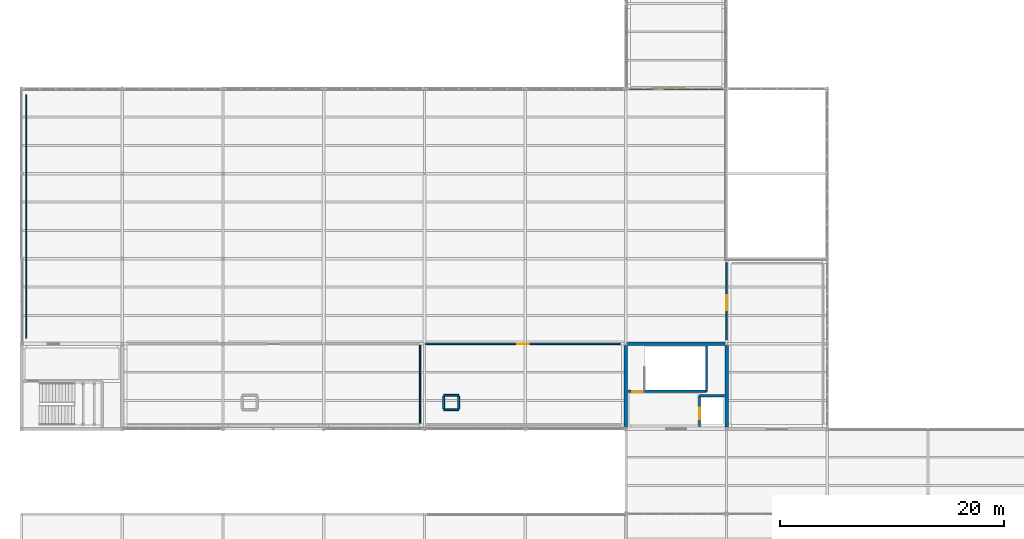
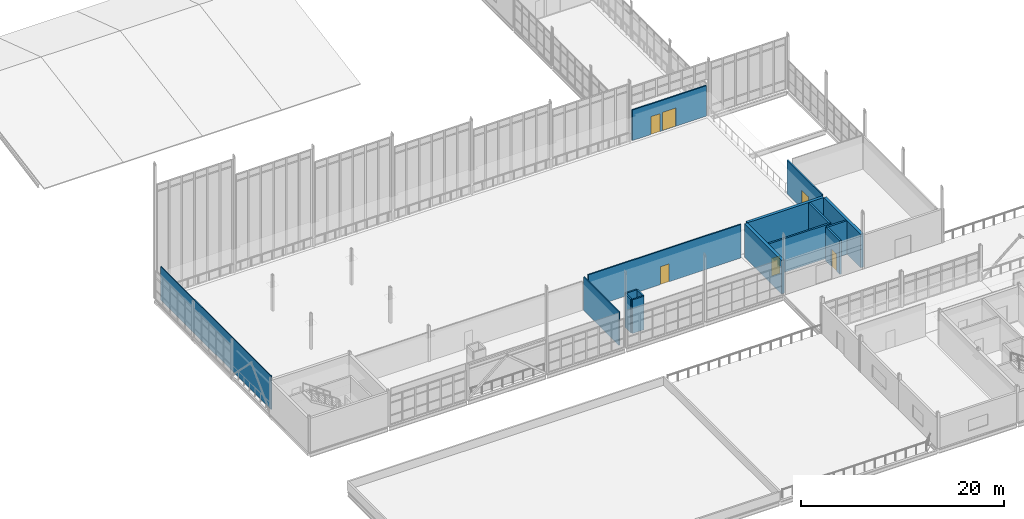
# One storey, part 151 of 166: 16 walls, 6 doors, 6 openings.
"""IFC4 building model written with IfcOpenShell, lengths in metres."""

import ifcopenshell
import ifcopenshell.guid

model = None  # the IFC model being written
_history = None  # IfcOwnerHistory: only IFC2X3 demands one
_inside = {}  # id of a spatial element -> (the spatial element, [elements in it])
_under = {}  # id of a project, library or spatial element -> (it, [spatial elements below it])
_declared = {}  # id of a project -> (the project, [libraries it declares])
_typed = {}  # id of a type object -> (the type object, [elements of that type])
_made_of = {}  # id of a material, layer set ... -> (it, [elements and type objects made of it])


def new_model(schema):
    """Start an empty IFC model of exactly this schema.

    Asked for "IFC4X3", IfcOpenShell would pick the latest addendum, in which some entities
    have other attributes; the version numbers below select the first issue.
    IFC2X3 requires an IfcOwnerHistory on every rooted entity: one is made here for all.
    """
    global model, _history
    if schema == "IFC4X3":
        model = ifcopenshell.file(schema_version=(4, 3, 0, 0))
    else:
        model = ifcopenshell.file(schema=schema)
    _inside.clear()
    _under.clear()
    _declared.clear()
    _typed.clear()
    _made_of.clear()
    _history = None
    if model.schema == "IFC2X3":
        org = make("IfcOrganization", Name="unknown")
        user = make(
            "IfcPersonAndOrganization",
            ThePerson=make("IfcPerson", FamilyName="unknown"),
            TheOrganization=org,
        )
        app = make(
            "IfcApplication",
            ApplicationDeveloper=org,
            Version="unknown",
            ApplicationFullName="unknown",
            ApplicationIdentifier="unknown",
        )
        _history = make(
            "IfcOwnerHistory",
            OwningUser=user,
            OwningApplication=app,
            ChangeAction="ADDED",
            CreationDate=0,
        )
    return model


def make(cls, **values):
    """One entity of the class cls with the attributes given. An attribute that is None is left unset."""
    return model.create_entity(
        cls, **{name: value for name, value in values.items() if value is not None}
    )


def rooted(cls, **values):
    """An entity with a GlobalId (a new one), such as an element, a storey or a relation."""
    return make(cls, GlobalId=ifcopenshell.guid.new(), OwnerHistory=_history, **values)


def si_unit(unit_type, name, prefix=None):
    """IfcSIUnit, for example si_unit("LENGTHUNIT", "METRE", prefix="MILLI")."""
    return make("IfcSIUnit", UnitType=unit_type, Prefix=prefix, Name=name)


def assignment(units):
    """IfcUnitAssignment: the units of a project."""
    return None if units is None else make("IfcUnitAssignment", Units=units)


def point(xyz):
    """IfcCartesianPoint."""
    return None if xyz is None else make("IfcCartesianPoint", Coordinates=xyz)


def direction(xyz):
    """IfcDirection."""
    return None if xyz is None else make("IfcDirection", DirectionRatios=xyz)


def frame(location, z_axis=None, x_axis=None):
    """IfcAxis2Placement3D, a coordinate frame: its origin and axes. An axis left out is left unset."""
    return make(
        "IfcAxis2Placement3D",
        Location=point(location),
        Axis=direction(z_axis),
        RefDirection=direction(x_axis),
    )


def frame_2d(location, x_axis=None):
    """IfcAxis2Placement2D, a coordinate frame in the plane: its origin and x axis."""
    return make(
        "IfcAxis2Placement2D", Location=point(location), RefDirection=direction(x_axis)
    )


def origin():
    """The frame at (0, 0, 0) with its axes left unset."""
    return frame((0.0, 0.0, 0.0))


def place(relative_to, where):
    """IfcLocalPlacement: puts the frame where relative to a parent placement (None: the world)."""
    return make(
        "IfcLocalPlacement", PlacementRelTo=relative_to, RelativePlacement=where
    )


def context(
    kind, dimensions, precision=None, world=None, true_north=None, identifier=None
):
    """IfcGeometricRepresentationContext, for example the 3D "Model" context."""
    return make(
        "IfcGeometricRepresentationContext",
        ContextIdentifier=identifier,
        ContextType=kind,
        CoordinateSpaceDimension=dimensions,
        Precision=precision,
        WorldCoordinateSystem=world,
        TrueNorth=true_north,
    )


def subcontext(parent, identifier, kind, view, scale=None):
    """IfcGeometricRepresentationSubContext, for example "Body" below "Model"."""
    return make(
        "IfcGeometricRepresentationSubContext",
        ContextIdentifier=identifier,
        ContextType=kind,
        ParentContext=parent,
        TargetScale=scale,
        TargetView=view,
    )


def project(units=None, contexts=None):
    """IfcProject with its units and contexts."""
    return rooted(
        "IfcProject",
        Name="project",
        RepresentationContexts=contexts,
        UnitsInContext=assignment(units),
    )


def spatial(cls, under=None, at=None, **own):
    """A site, building, storey or space (cls), placed at a placement, below another one or the project."""
    s = rooted(cls, ObjectPlacement=at, **own)
    if under is not None:
        _under.setdefault(under.id(), (under, []))[1].append(s)
    return s


def profile(cls, at=None, kind="AREA", **sizes):
    """A parametric profile (cls). Its sizes go by their IFC names, for example OverallWidth=200.0."""
    return make(cls, ProfileType=kind, Position=at, **sizes)


def rectangle(**sizes):
    """IfcRectangleProfileDef."""
    return profile("IfcRectangleProfileDef", **sizes)


def extrude(swept, where, along, depth):
    """IfcExtrudedAreaSolid: the profile swept, set in the frame where, extruded along a direction by depth."""
    return make(
        "IfcExtrudedAreaSolid",
        SweptArea=swept,
        Position=where,
        ExtrudedDirection=direction(along),
        Depth=depth,
    )


def shape(context_of_items, identifier, shape_type, items):
    """IfcShapeRepresentation: the items that make up one representation, for example the "Body"."""
    return make(
        "IfcShapeRepresentation",
        ContextOfItems=context_of_items,
        RepresentationIdentifier=identifier,
        RepresentationType=shape_type,
        Items=items,
    )


def material(Name=None, Category=None):
    """IfcMaterial."""
    return make("IfcMaterial", Name=Name, Category=Category)


def layer(
    of_material, thickness, ventilated=None, Name=None, Category=None, Priority=None
):
    """IfcMaterialLayer: one layer of a wall or slab, of a material (None: an air gap)."""
    return make(
        "IfcMaterialLayer",
        Material=of_material,
        LayerThickness=thickness,
        IsVentilated=ventilated,
        Name=Name,
        Category=Category,
        Priority=Priority,
    )


def layer_set(layers, Name=None):
    """IfcMaterialLayerSet."""
    return make("IfcMaterialLayerSet", MaterialLayers=layers, LayerSetName=Name)


def made_of(thing, what):
    """Note that an element or type object is made of a material, layer set ...; save() writes the relation."""
    if what is not None:
        _made_of.setdefault(what.id(), (what, []))[1].append(thing)
    return thing


def type_object(cls, material=None, **own):
    """A type object (cls), such as IfcWallType, which elements share."""
    return made_of(rooted(cls, **own), material)


def element(
    cls,
    number,
    at=None,
    inside=None,
    cuts=None,
    type_object=None,
    material=None,
    context=None,
    identifier="Body",
    shape_type=None,
    held_by="IfcProductDefinitionShape",
    body=None,
    shapes=None,
    **own,
):
    """One element of the class cls, such as IfcWall. Its Tag is "e" and its number.

    at: its placement. inside: the storey or other place that contains it. cuts: it is an
    opening in that element (IfcRelVoidsElement). A single representation is given by context,
    identifier, shape_type and body (its items); several are given by shapes. held_by: the class
    of the entity that holds the representations. save() writes the other relations.
    """
    e = rooted(cls, Tag="e%d" % number, ObjectPlacement=at, **own)
    if body is not None:
        shapes = [shape(context, identifier, shape_type, body)]
    if shapes is not None:
        e.Representation = make(held_by, Representations=shapes)
    if inside is not None:
        _inside.setdefault(inside.id(), (inside, []))[1].append(e)
    if cuts is not None:
        rooted(
            "IfcRelVoidsElement", RelatingBuildingElement=cuts, RelatedOpeningElement=e
        )
    if type_object is not None:
        _typed.setdefault(type_object.id(), (type_object, []))[1].append(e)
    return made_of(e, material)


def fill(opening, filler):
    """IfcRelFillsElement: the door or window that sits in an opening."""
    return rooted(
        "IfcRelFillsElement",
        RelatingOpeningElement=opening,
        RelatedBuildingElement=filler,
    )


def aggregate(whole, parts):
    """IfcRelAggregates: a whole, such as a stair, and the parts it consists of."""
    return rooted("IfcRelAggregates", RelatingObject=whole, RelatedObjects=parts)


def save(model, path):
    """Write the relations noted so far, then the file.

    IfcRelAggregates (storeys below a building ...), IfcRelContainedInSpatialStructure (elements
    in a storey), IfcRelDefinesByType, IfcRelAssociatesMaterial and IfcRelDeclares: one each for
    every whole, place, type object, material and project.
    """
    for whole, parts in _under.values():
        aggregate(whole, parts)
    for where, things in _inside.values():
        rooted(
            "IfcRelContainedInSpatialStructure",
            RelatedElements=things,
            RelatingStructure=where,
        )
    for kind, things in _typed.values():
        rooted("IfcRelDefinesByType", RelatedObjects=things, RelatingType=kind)
    for what, things in _made_of.values():
        rooted("IfcRelAssociatesMaterial", RelatedObjects=things, RelatingMaterial=what)
    for by, libraries in _declared.values():
        rooted("IfcRelDeclares", RelatingContext=by, RelatedDefinitions=libraries)
    model.write(path)


model = new_model("IFC4")

# Units and contexts
model_context = context("Model", 3, precision=1e-05, world=origin(), true_north=direction((0.0, 1.0)))
body_context = subcontext(model_context, "Body", "Model", "MODEL_VIEW")
ifc_project = project(units=[si_unit("LENGTHUNIT", "METRE"), si_unit("AREAUNIT", "SQUARE_METRE"), si_unit("VOLUMEUNIT", "CUBIC_METRE"), si_unit("PLANEANGLEUNIT", "RADIAN"), si_unit("MASSUNIT", "GRAM", prefix="KILO")], contexts=[model_context])

# Site, building, storey
site_placement = place(None, origin())
site = spatial("IfcSite", under=ifc_project, at=site_placement, CompositionType="ELEMENT")
building_placement = place(site_placement, origin())
building = spatial("IfcBuilding", under=site, at=building_placement, Name="Caisbarro Railhouse Central Library", CompositionType="ELEMENT")
storey_placement = place(building_placement, frame((0.0, 0.0, 9.360107421875)))
storey = spatial("IfcBuildingStorey", under=building, at=storey_placement, Name="L02", CompositionType="ELEMENT", Elevation=9.360107421875)

# Walls
ifc_material_1 = material(Name="Concrete C40", Category="concrete")
ifc_layer_1 = layer(ifc_material_1, 0.320068359375, Name="Concrete C40")
ifc_layer_set_1 = layer_set([ifc_layer_1], Name="Concrete C40")
wall_type_1 = type_object("IfcWallType", Name="WAL-CW32", PredefinedType="SHEAR", material=ifc_layer_set_1)
wall_1_placement = place(storey_placement, frame((54.159912109375, 38.0, 0.0), z_axis=(0.0, 0.0, 1.0), x_axis=(1.0, 0.0, 0.0)))
element("IfcWall", 1, at=wall_1_placement, inside=storey, type_object=wall_type_1, Name="CW32 RC core shear wall L02 #66", PredefinedType="SHEAR", context=body_context, shape_type="SweptSolid", body=[
    extrude(rectangle(XDim=8.68017578125, YDim=0.320068359375, at=frame_2d((4.340087890625, 0.0))), origin(), (0.0, 0.0, 1.0), 4.039794921875),
])
for number, where, z_axis, x_axis, name in (
    (2, (54.0, 30.56005859375, 0.0), (0.0, 0.0, 1.0), (0.0, 1.0, 0.0), "CW32 RC core shear wall L02 #67"),
    (3, (63.0, 30.56005859375, 0.0), (0.0, 0.0, 1.0), (0.0, 1.0, 0.0), "CW32 RC core shear wall L02 #68"),
):
    element("IfcWall", number, at=place(storey_placement, frame(where, z_axis=z_axis, x_axis=x_axis)), inside=storey, type_object=wall_type_1, Name=name, PredefinedType="SHEAR", context=body_context, shape_type="SweptSolid", body=[
        extrude(rectangle(XDim=7.280029296875, YDim=0.320068359375, at=frame_2d((3.64013671875, 0.0))), origin(), (0.0, 0.0, 1.0), 4.039794921875),
    ])
ifc_material_2 = material(Name="Acoustic gypsum board on galvanised steel studs", Category="steel")
ifc_layer_2 = layer(ifc_material_2, 0.090087890625, Name="Acoustic gypsum board on galvanised steel studs")
ifc_layer_set_2 = layer_set([ifc_layer_2], Name="Acoustic gypsum board on galvanised steel studs")
wall_type_2 = type_object("IfcWallType", Name="WAL-IW09", PredefinedType="PARTITIONING", material=ifc_layer_set_2)
wall_2_placement = place(storey_placement, frame((0.39990234375, 38.52001953125, 0.0), z_axis=(0.0, 0.0, 1.0), x_axis=(0.0, 1.0, 0.0)))
element("IfcWall", 4, at=wall_2_placement, inside=storey, type_object=wall_type_2, Name="IW09 partition wall L02 #535", PredefinedType="PARTITIONING", context=body_context, shape_type="SweptSolid", body=[
    extrude(rectangle(XDim=21.760009765625, YDim=0.090087890625, at=frame_2d((10.8798828125, 0.0))), origin(), (0.0, 0.0, 1.0), 4.039794921875),
])
ifc_layer_3 = layer(ifc_material_2, 0.110107421875, Name="Acoustic gypsum board on galvanised steel studs")
ifc_layer_set_3 = layer_set([ifc_layer_3], Name="Acoustic gypsum board on galvanised steel studs")
wall_type_3 = type_object("IfcWallType", Name="WAL-IW11", PredefinedType="PARTITIONING", material=ifc_layer_set_3)
wall_3_placement = place(storey_placement, frame((35.60009765625, 30.919921875, 0.0), z_axis=(0.0, 0.0, 1.0), x_axis=(0.0, 1.0, 0.0)))
element("IfcWall", 5, at=wall_3_placement, inside=storey, type_object=wall_type_3, Name="IW11 partition wall L02 #474", PredefinedType="PARTITIONING", context=body_context, shape_type="SweptSolid", body=[
    extrude(rectangle(XDim=6.9599609375, YDim=0.110107421875, at=frame_2d((3.47998046875, 0.0))), origin(), (0.0, 0.0, 1.0), 4.039794921875),
])

# Wall, openings, doors
ifc_layer_4 = layer(ifc_material_2, 0.14990234375, Name="Acoustic gypsum board on galvanised steel studs")
ifc_layer_set_4 = layer_set([ifc_layer_4], Name="Acoustic gypsum board on galvanised steel studs")
wall_type_4 = type_object("IfcWallType", Name="WAL-IW15", PredefinedType="PARTITIONING", material=ifc_layer_set_4)
wall_4_placement = place(storey_placement, frame((54.300048828125, 60.800048828125, 0.0), z_axis=(0.0, 0.0, 1.0), x_axis=(1.0, 0.0, 0.0)))
wall_4 = element("IfcWall", 6, at=wall_4_placement, inside=storey, type_object=wall_type_4, Name="IW15 partition wall L02 #469", PredefinedType="PARTITIONING", context=body_context, shape_type="SweptSolid", body=[
    extrude(rectangle(XDim=8.39990234375, YDim=0.14990234375, at=frame_2d((4.199951171875, 0.0))), origin(), (0.0, 0.0, 1.0), 3.6708984375),
])
opening_1_placement = place(wall_4_placement, frame((3.39990234375, 0.0, 0.0)))
opening_1 = element("IfcOpeningElement", 7, at=opening_1_placement, cuts=wall_4, Name="Opening FD07", PredefinedType="OPENING", context=body_context, shape_type="SweptSolid", body=[
    extrude(rectangle(XDim=1.550048828125, YDim=2.199951171875, at=frame_2d((0.77490234375, 1.10009765625))), frame((0.0, 0.0849609375, 0.0), z_axis=(0.0, -1.0, 0.0), x_axis=(1.0, 0.0, 0.0)), (0.0, 0.0, 1.0), 0.169921875),
])
opening_2_placement = place(wall_4_placement, frame((2.135009765625, 0.0, 0.0)))
opening_2 = element("IfcOpeningElement", 8, at=opening_2_placement, cuts=wall_4, Name="Opening FD05", PredefinedType="OPENING", context=body_context, shape_type="SweptSolid", body=[
    extrude(rectangle(XDim=1.0, YDim=2.14990234375, at=frame_2d((0.5, 1.074951171875))), frame((0.0, 0.0849609375, 0.0), z_axis=(0.0, -1.0, 0.0), x_axis=(1.0, 0.0, 0.0)), (0.0, 0.0, 1.0), 0.169921875),
])
ifc_material_3 = material(Name="Fire-rated painted galvanised steel", Category="steel")
door_type_1 = type_object("IfcDoorType", Name="DR-FD05", OperationType="NOTDEFINED", PredefinedType="DOOR", material=ifc_material_3)
door_1_placement = place(opening_2_placement, origin())
door_1 = element("IfcDoor", 9, at=door_1_placement, inside=storey, type_object=door_type_1, Name="Main Reading Hall Door FD05 L02-300", OperationType="SINGLE_SWING_RIGHT", OverallHeight=2.14990234375, OverallWidth=1.0, PredefinedType="DOOR", context=body_context, shape_type="SweptSolid", body=[
    extrude(rectangle(XDim=1.0, YDim=2.14990234375, at=frame_2d((0.5, 1.074951171875))), frame((0.0, 0.02490234375, 0.0), z_axis=(0.0, -1.0, 0.0), x_axis=(1.0, 0.0, 0.0)), (0.0, 0.0, 1.0), 0.050048828125),
])
fill(opening_2, door_1)
door_type_2 = type_object("IfcDoorType", Name="DR-FD07", OperationType="NOTDEFINED", PredefinedType="DOOR", material=ifc_material_3)
door_2_placement = place(opening_1_placement, origin())
door_2 = element("IfcDoor", 10, at=door_2_placement, inside=storey, type_object=door_type_2, Name="Bridge South Door FD07 L02-274", OperationType="SINGLE_SWING_RIGHT", OverallHeight=2.199951171875, OverallWidth=1.550048828125, PredefinedType="DOOR", context=body_context, shape_type="SweptSolid", body=[
    extrude(rectangle(XDim=1.550048828125, YDim=2.199951171875, at=frame_2d((0.77490234375, 1.10009765625))), frame((0.0, 0.02490234375, 0.0), z_axis=(0.0, -1.0, 0.0), x_axis=(1.0, 0.0, 0.0)), (0.0, 0.0, 1.0), 0.050048828125),
])
fill(opening_1, door_2)

# Wall, opening, door
wall_5_placement = place(storey_placement, frame((63.0, 38.35009765625, 0.0), z_axis=(0.0, 0.0, 1.0), x_axis=(0.0, 1.0, 0.0)))
wall_5 = element("IfcWall", 11, at=wall_5_placement, inside=storey, type_object=wall_type_4, Name="IW15 partition wall L02 #472", PredefinedType="PARTITIONING", context=body_context, shape_type="SweptSolid", body=[
    extrude(rectangle(XDim=6.89990234375, YDim=0.14990234375, at=frame_2d((3.449951171875, 0.0))), origin(), (0.0, 0.0, 1.0), 4.039794921875),
])
opening_3_placement = place(wall_5_placement, frame((2.64990234375, 0.0, 0.0)))
opening_3 = element("IfcOpeningElement", 12, at=opening_3_placement, cuts=wall_5, Name="Opening FD06", PredefinedType="OPENING", context=body_context, shape_type="SweptSolid", body=[
    extrude(rectangle(XDim=1.35009765625, YDim=2.179931640625, at=frame_2d((0.675048828125, 1.08984375))), frame((0.0, 0.0849609375, 0.0), z_axis=(0.0, -1.0, 0.0), x_axis=(1.0, 0.0, 0.0)), (0.0, 0.0, 1.0), 0.169921875),
])
door_type_3 = type_object("IfcDoorType", Name="DR-FD06", OperationType="NOTDEFINED", PredefinedType="DOOR", material=ifc_material_3)
door_3_placement = place(opening_3_placement, origin())
door_3 = element("IfcDoor", 13, at=door_3_placement, inside=storey, type_object=door_type_3, Name="East Reading Belvedere Door FD06 L02-277", OperationType="SINGLE_SWING_LEFT", OverallHeight=2.179931640625, OverallWidth=1.35009765625, PredefinedType="DOOR", context=body_context, shape_type="SweptSolid", body=[
    extrude(rectangle(XDim=1.35009765625, YDim=2.179931640625, at=frame_2d((0.675048828125, 1.08984375))), frame((0.0, 0.02490234375, 0.0), z_axis=(0.0, -1.0, 0.0), x_axis=(1.0, 0.0, 0.0)), (0.0, 0.0, 1.0), 0.050048828125),
])
fill(opening_3, door_3)

wall_6_placement = place(storey_placement, frame((36.1201171875, 38.0, 0.0), z_axis=(0.0, 0.0, 1.0), x_axis=(1.0, 0.0, 0.0)))
wall_6 = element("IfcWall", 14, at=wall_6_placement, inside=storey, type_object=wall_type_4, Name="IW15 partition wall L02 #536", PredefinedType="PARTITIONING", context=body_context, shape_type="SweptSolid", body=[
    extrude(rectangle(XDim=17.35986328125, YDim=0.14990234375, at=frame_2d((8.679931640625, 0.0))), origin(), (0.0, 0.0, 1.0), 4.039794921875),
])
opening_4_placement = place(wall_6_placement, frame((8.18505859375, 0.0, 0.0)))
opening_4 = element("IfcOpeningElement", 15, at=opening_4_placement, cuts=wall_6, Name="Opening FD05", PredefinedType="OPENING", context=body_context, shape_type="SweptSolid", body=[
    extrude(rectangle(XDim=1.0, YDim=2.14990234375, at=frame_2d((0.5, 1.074951171875))), frame((0.0, 0.0849609375, 0.0), z_axis=(0.0, -1.0, 0.0), x_axis=(1.0, 0.0, 0.0)), (0.0, 0.0, 1.0), 0.169921875),
])
door_4_placement = place(opening_4_placement, origin())
door_4 = element("IfcDoor", 16, at=door_4_placement, inside=storey, type_object=door_type_1, Name="Reference Consultation Lounge Door FD05 L02-301", OperationType="SINGLE_SWING_LEFT", OverallHeight=2.14990234375, OverallWidth=1.0, PredefinedType="DOOR", context=body_context, shape_type="SweptSolid", body=[
    extrude(rectangle(XDim=1.0, YDim=2.14990234375, at=frame_2d((0.5, 1.074951171875))), frame((0.0, 0.02490234375, 0.0), z_axis=(0.0, -1.0, 0.0), x_axis=(1.0, 0.0, 0.0)), (0.0, 0.0, 1.0), 0.050048828125),
])
fill(opening_4, door_4)

# Walls
ifc_material_4 = material(Name="Plastered cellular concrete masonry", Category="masonry")
ifc_layer_5 = layer(ifc_material_4, 0.169921875, Name="Plastered cellular concrete masonry")
ifc_layer_set_5 = layer_set([ifc_layer_5], Name="Plastered cellular concrete masonry")
wall_type_5 = type_object("IfcWallType", Name="WAL-IW17", PredefinedType="PARTITIONING", material=ifc_layer_set_5)
wall_7_placement = place(storey_placement, frame((37.7099609375, 32.110107421875, 0.0), z_axis=(0.0, 0.0, 1.0), x_axis=(1.0, 0.0, 0.0)))
element("IfcWall", 17, at=wall_7_placement, inside=storey, type_object=wall_type_5, Name="IW17 partition wall L02 #215", PredefinedType="PARTITIONING", context=body_context, shape_type="SweptSolid", body=[
    extrude(rectangle(XDim=1.340087890625, YDim=0.169921875, at=frame_2d((0.669921875, 0.0))), origin(), (0.0, 0.0, 1.0), 4.039794921875),
])
wall_8_placement = place(storey_placement, frame((39.050048828125, 32.199951171875, 0.0), z_axis=(0.0, 0.0, 1.0), x_axis=(0.0, 1.0, 0.0)))
element("IfcWall", 18, at=wall_8_placement, inside=storey, type_object=wall_type_5, Name="IW17 partition wall L02 #216", PredefinedType="PARTITIONING", context=body_context, shape_type="SweptSolid", body=[
    extrude(rectangle(XDim=1.1201171875, YDim=0.169921875, at=frame_2d((0.56005859375, 0.0))), origin(), (0.0, 0.0, 1.0), 4.039794921875),
])
wall_9_placement = place(storey_placement, frame((39.050048828125, 33.409912109375, 0.0), z_axis=(0.0, 0.0, 1.0), x_axis=(-1.0, 0.0, 0.0)))
element("IfcWall", 19, at=wall_9_placement, inside=storey, type_object=wall_type_5, Name="IW17 partition wall L02 #217", PredefinedType="PARTITIONING", context=body_context, shape_type="SweptSolid", body=[
    extrude(rectangle(XDim=1.340087890625, YDim=0.169921875, at=frame_2d((0.669921875, 0.0))), origin(), (0.0, 0.0, 1.0), 4.039794921875),
])
wall_10_placement = place(storey_placement, frame((37.7099609375, 33.320068359375, 0.0), z_axis=(0.0, 0.0, 1.0), x_axis=(0.0, -1.0, 0.0)))
element("IfcWall", 20, at=wall_10_placement, inside=storey, type_object=wall_type_5, Name="IW17 partition wall L02 #218", PredefinedType="PARTITIONING", context=body_context, shape_type="SweptSolid", body=[
    extrude(rectangle(XDim=1.1201171875, YDim=0.169921875, at=frame_2d((0.56005859375, 0.0))), origin(), (0.0, 0.0, 1.0), 4.039794921875),
])

# Wall, opening, door
ifc_layer_6 = layer(ifc_material_1, 0.2099609375, Name="Concrete C40")
ifc_layer_set_6 = layer_set([ifc_layer_6], Name="Concrete C40")
wall_type_6 = type_object("IfcWallType", Name="WAL-SW21", PredefinedType="SOLIDWALL", material=ifc_layer_set_6)
wall_11_placement = place(storey_placement, frame((54.199951171875, 33.75, 0.0), z_axis=(0.0, 0.0, 1.0), x_axis=(1.0, 0.0, 0.0)))
wall_11 = element("IfcWall", 21, at=wall_11_placement, inside=storey, type_object=wall_type_6, Name="SW21 core shaft wall L02 #131", PredefinedType="SOLIDWALL", context=body_context, shape_type="SweptSolid", body=[
    extrude(rectangle(XDim=7.0, YDim=0.2099609375, at=frame_2d((3.5, 0.0))), origin(), (0.0, 0.0, 1.0), 4.039794921875),
])
opening_5_placement = place(wall_11_placement, frame((0.35009765625, 0.0, 0.0)))
opening_5 = element("IfcOpeningElement", 22, at=opening_5_placement, cuts=wall_11, Name="Opening FD01", PredefinedType="OPENING", context=body_context, shape_type="SweptSolid", body=[
    extrude(rectangle(XDim=0.949951171875, YDim=2.1201171875, at=frame_2d((0.47509765625, 1.06005859375))), frame((0.0, 0.114990234375, 0.0), z_axis=(0.0, -1.0, 0.0), x_axis=(1.0, 0.0, 0.0)), (0.0, 0.0, 1.0), 0.22998046875),
])
door_type_4 = type_object("IfcDoorType", Name="DR-FD01", OperationType="NOTDEFINED", PredefinedType="DOOR", material=ifc_material_3)
door_5_placement = place(opening_5_placement, origin())
door_5 = element("IfcDoor", 23, at=door_5_placement, inside=storey, type_object=door_type_4, Name="Stair ST-04 Fire Door FD01 L02-109", OperationType="SINGLE_SWING_LEFT", OverallHeight=2.1201171875, OverallWidth=0.949951171875, PredefinedType="DOOR", context=body_context, shape_type="SweptSolid", body=[
    extrude(rectangle(XDim=0.949951171875, YDim=2.1201171875, at=frame_2d((0.47509765625, 1.06005859375))), frame((0.0, 0.02490234375, 0.0), z_axis=(0.0, -1.0, 0.0), x_axis=(1.0, 0.0, 0.0)), (0.0, 0.0, 1.0), 0.050048828125),
])
fill(opening_5, door_5)

# Wall
wall_12_placement = place(storey_placement, frame((61.199951171875, 33.75, 0.0), z_axis=(0.0, 0.0, 1.0), x_axis=(0.0, 1.0, 0.0)))
element("IfcWall", 24, at=wall_12_placement, inside=storey, type_object=wall_type_6, Name="SW21 core shaft wall L02 #132", PredefinedType="SOLIDWALL", context=body_context, shape_type="SweptSolid", body=[
    extrude(rectangle(XDim=4.050048828125, YDim=0.2099609375, at=frame_2d((2.02490234375, 0.0))), origin(), (0.0, 0.0, 1.0), 4.039794921875),
])

# Wall, opening, door
wall_13_placement = place(storey_placement, frame((60.580078125, 30.60009765625, 0.0), z_axis=(0.0, 0.0, 1.0), x_axis=(0.0, 1.0, 0.0)))
wall_13 = element("IfcWall", 25, at=wall_13_placement, inside=storey, type_object=wall_type_6, Name="SW21 core shaft wall L02 #133", PredefinedType="SOLIDWALL", context=body_context, shape_type="SweptSolid", body=[
    extrude(rectangle(XDim=2.75, YDim=0.2099609375, at=frame_2d((1.375, 0.0))), origin(), (0.0, 0.0, 1.0), 4.039794921875),
])
opening_6_placement = place(wall_13_placement, frame((0.64990234375, 0.0, 0.0)))
opening_6 = element("IfcOpeningElement", 26, at=opening_6_placement, cuts=wall_13, Name="Opening LD02", PredefinedType="OPENING", context=body_context, shape_type="SweptSolid", body=[
    extrude(rectangle(XDim=1.0400390625, YDim=2.10009765625, at=frame_2d((0.52001953125, 1.050048828125))), frame((0.0, 0.114990234375, 0.0), z_axis=(0.0, -1.0, 0.0), x_axis=(1.0, 0.0, 0.0)), (0.0, 0.0, 1.0), 0.22998046875),
])
ifc_material_5 = material(Name="Brushed stainless steel elevator cab", Category="steel")
door_type_5 = type_object("IfcDoorType", Name="DR-LD02", OperationType="NOTDEFINED", PredefinedType="DOOR", material=ifc_material_5)
door_6_placement = place(opening_6_placement, origin())
door_6 = element("IfcDoor", 27, at=door_6_placement, inside=storey, type_object=door_type_5, Name="Lift PL-03 Landing Door LD02 L02-110", OperationType="SLIDING_TO_LEFT", OverallHeight=2.10009765625, OverallWidth=1.0400390625, PredefinedType="DOOR", context=body_context, shape_type="SweptSolid", body=[
    extrude(rectangle(XDim=1.0400390625, YDim=2.10009765625, at=frame_2d((0.52001953125, 1.050048828125))), frame((0.0, 0.02490234375, 0.0), z_axis=(0.0, -1.0, 0.0), x_axis=(1.0, 0.0, 0.0)), (0.0, 0.0, 1.0), 0.050048828125),
])
fill(opening_6, door_6)

# Wall
wall_14_placement = place(storey_placement, frame((60.580078125, 33.35009765625, 0.0), z_axis=(0.0, 0.0, 1.0), x_axis=(1.0, 0.0, 0.0)))
element("IfcWall", 28, at=wall_14_placement, inside=storey, type_object=wall_type_6, Name="SW21 core shaft wall L02 #134", PredefinedType="SOLIDWALL", context=body_context, shape_type="SweptSolid", body=[
    extrude(rectangle(XDim=2.239990234375, YDim=0.2099609375, at=frame_2d((1.1201171875, 0.0))), origin(), (0.0, 0.0, 1.0), 4.039794921875),
])

save(model, "model.ifc")
